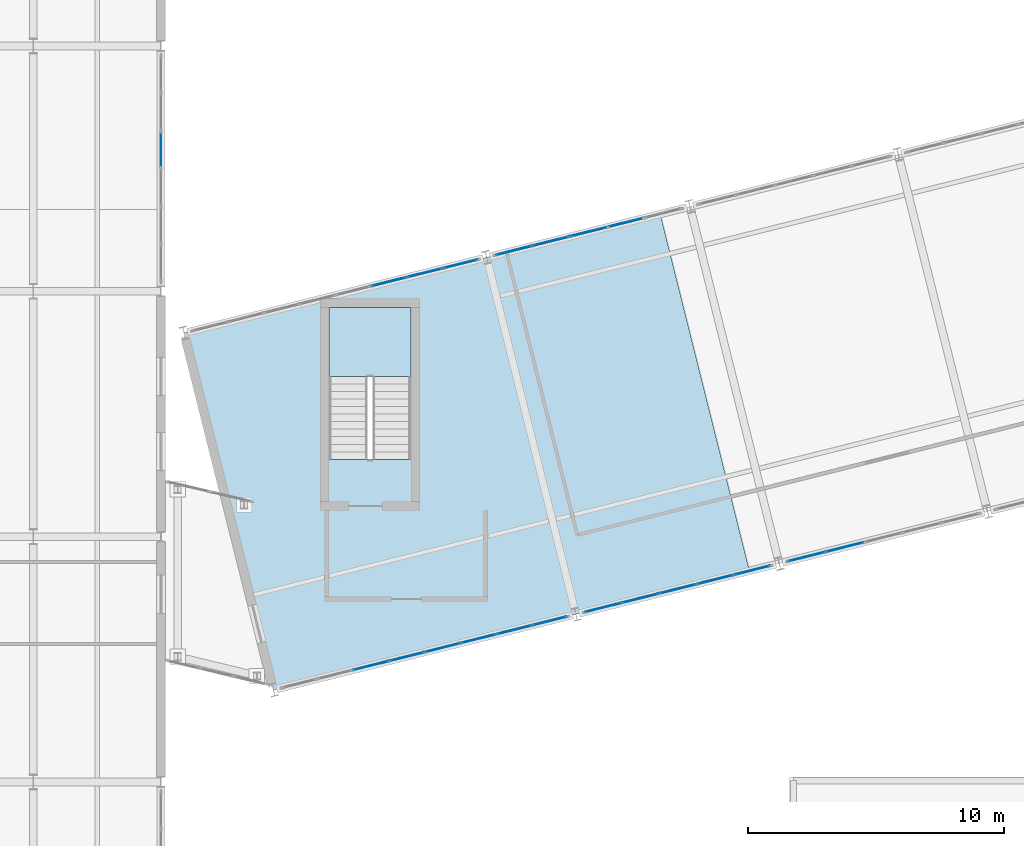
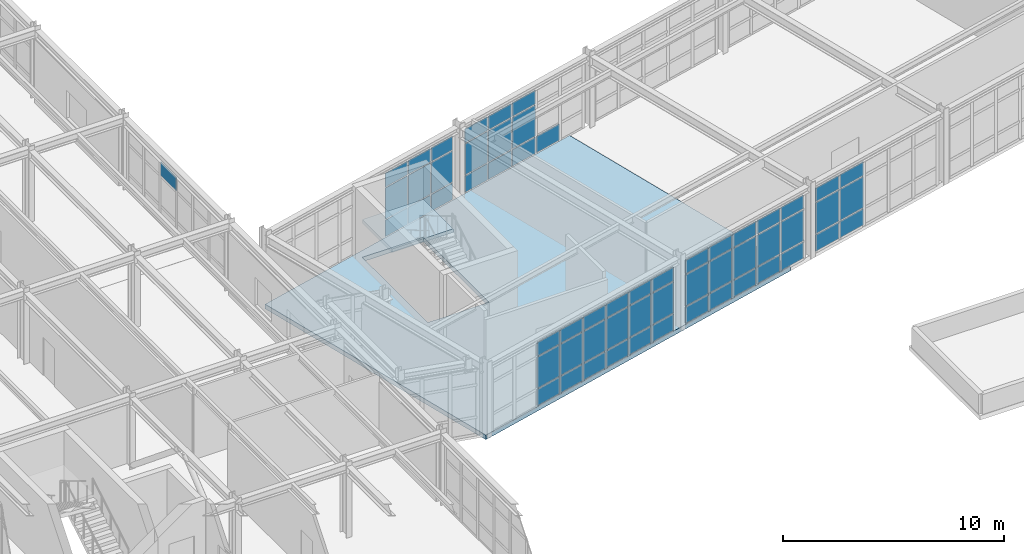
# One storey, part 60 of 99: 59 plates, 2 slabs, 7 elements without a shape of their own.
"""IFC4 building model written with IfcOpenShell, lengths in metres."""

from ifc_helpers import new_model, si_unit, direction, frame, origin, origin_2d, place, context, subcontext, project, spatial, polyline, rectangle, outline, extrude, material, layer, layer_set, type_object, element, aggregate, save


model = new_model("IFC4")

# Units and contexts
model_context = context("Model", 3, precision=1e-05, world=origin(), true_north=direction((0.0, 1.0)))
body_context = subcontext(model_context, "Body", "Model", "MODEL_VIEW")
ifc_project = project(units=[si_unit("LENGTHUNIT", "METRE"), si_unit("AREAUNIT", "SQUARE_METRE"), si_unit("VOLUMEUNIT", "CUBIC_METRE"), si_unit("PLANEANGLEUNIT", "RADIAN"), si_unit("MASSUNIT", "GRAM", prefix="KILO")], contexts=[model_context])

# Site, building, storey
site_placement = place(None, origin())
site = spatial("IfcSite", under=ifc_project, at=site_placement, CompositionType="ELEMENT")
building_placement = place(site_placement, origin())
building = spatial("IfcBuilding", under=site, at=building_placement, Name="Nordkorset Police Headquarters", CompositionType="ELEMENT")
storey_placement = place(building_placement, frame((0.0, 0.0, 5.25)))
storey = spatial("IfcBuildingStorey", under=building, at=storey_placement, Name="L01", CompositionType="ELEMENT", Elevation=5.25)

# Curtain wall, plate
ifc_material_1 = material(Name="Aluminium alloy AW-6060", Category="aluminium")
ifc_layer_1 = layer(ifc_material_1, 0.179931640625, Name="Aluminium alloy AW-6060")
ifc_layer_set_1 = layer_set([ifc_layer_1], Name="Aluminium alloy AW-6060")
curtain_wall_type_1 = type_object("IfcCurtainWallType", Name="CW_Unit_888x350", PredefinedType="USERDEFINED", material=ifc_layer_set_1)
curtain_wall_1_placement = place(storey_placement, origin())
curtain_wall_1 = element("IfcCurtainWall", 1, at=curtain_wall_1_placement, inside=storey, type_object=curtain_wall_type_1, Name="Unitised Curtain Wall L01 V3E-3", ObjectType="UNITISED CURTAIN WALL", PredefinedType="USERDEFINED")
ifc_material_2 = material(Name="Low-iron triple glazing", Category="glass")
ifc_layer_2 = layer(ifc_material_2, 0.035888671875, Name="Low-iron triple glazing")
ifc_layer_set_2 = layer_set([ifc_layer_2], Name="Low-iron triple glazing")
plate_type = type_object("IfcPlateType", Name="CW_Panel_TripleGlazing_36", PredefinedType="CURTAIN_PANEL", material=ifc_layer_set_2)
plate_1_placement = place(storey_placement, frame((19.199951171875, 63.139892578125, 2.6826171875), z_axis=(0.0, 0.0, 1.0), x_axis=(0.0, 1.0, 0.0)))
plate_1 = element("IfcPlate", 2, at=plate_1_placement, type_object=plate_type, Name="CW-95 panel 4.3", PredefinedType="CURTAIN_PANEL", context=body_context, shape_type="SweptSolid", body=[
    extrude(rectangle(XDim=1.4150390625, YDim=0.035888671875, at=origin_2d()), origin(), (0.0, 0.0, 1.0), 0.75244140625),
])
aggregate(curtain_wall_1, [plate_1])

# Curtain wall, plates
ifc_material_3 = material(Name="Aluminium alloy AW-6060", Category="aluminium")
ifc_layer_3 = layer(ifc_material_3, 0.179931640625, Name="Aluminium alloy AW-6060")
ifc_layer_set_3 = layer_set([ifc_layer_3], Name="Aluminium alloy AW-6060")
curtain_wall_type_2 = type_object("IfcCurtainWallType", Name="CW_Unit_1156x363", PredefinedType="USERDEFINED", material=ifc_layer_set_3)
curtain_wall_2_placement = place(storey_placement, origin())
curtain_wall_2 = element("IfcCurtainWall", 3, at=curtain_wall_2_placement, inside=storey, type_object=curtain_wall_type_2, Name="Unitised Curtain Wall L01 V4S-0", ObjectType="UNITISED CURTAIN WALL", PredefinedType="USERDEFINED")
plate_2_placement = place(storey_placement, frame((27.4150390625, 42.953857421875, 0.06494140625), z_axis=(0.0, 0.0, 1.0), x_axis=(0.970142500145, 0.242535625038, 0.0)))
plate_2 = element("IfcPlate", 4, at=plate_2_placement, type_object=plate_type, Name="CW-01 panel 3.1", PredefinedType="CURTAIN_PANEL", context=body_context, shape_type="SweptSolid", body=[
    extrude(rectangle(XDim=1.3798828125, YDim=0.035888671875, at=origin_2d()), origin(), (0.0, 0.0, 1.0), 0.902587890625),
])
plate_3_placement = place(storey_placement, frame((27.4150390625, 42.953857421875, 1.0322265625), z_axis=(0.0, 0.0, 1.0), x_axis=(0.970142500145, 0.242535625038, 0.0)))
plate_3 = element("IfcPlate", 5, at=plate_3_placement, type_object=plate_type, Name="CW-01 panel 3.2", PredefinedType="CURTAIN_PANEL", context=body_context, shape_type="SweptSolid", body=[
    extrude(rectangle(XDim=1.3798828125, YDim=0.035888671875, at=origin_2d()), origin(), (0.0, 0.0, 1.0), 1.715087890625),
])
plate_4_placement = place(storey_placement, frame((27.4150390625, 42.953857421875, 2.8125), z_axis=(0.0, 0.0, 1.0), x_axis=(0.970142500145, 0.242535625038, 0.0)))
plate_4 = element("IfcPlate", 6, at=plate_4_placement, type_object=plate_type, Name="CW-01 panel 3.3", PredefinedType="CURTAIN_PANEL", context=body_context, shape_type="SweptSolid", body=[
    extrude(rectangle(XDim=1.3798828125, YDim=0.035888671875, at=origin_2d()), origin(), (0.0, 0.0, 1.0), 0.75244140625),
])
plate_5_placement = place(storey_placement, frame((28.81689453125, 43.30419921875, 0.06494140625), z_axis=(0.0, 0.0, 1.0), x_axis=(0.970142500145, 0.242535625038, 0.0)))
plate_5 = element("IfcPlate", 7, at=plate_5_placement, type_object=plate_type, Name="CW-01 panel 4.1", PredefinedType="CURTAIN_PANEL", context=body_context, shape_type="SweptSolid", body=[
    extrude(rectangle(XDim=1.3798828125, YDim=0.035888671875, at=origin_2d()), origin(), (0.0, 0.0, 1.0), 0.902587890625),
])
plate_6_placement = place(storey_placement, frame((28.81689453125, 43.30419921875, 1.0322265625), z_axis=(0.0, 0.0, 1.0), x_axis=(0.970142500145, 0.242535625038, 0.0)))
plate_6 = element("IfcPlate", 8, at=plate_6_placement, type_object=plate_type, Name="CW-01 panel 4.2", PredefinedType="CURTAIN_PANEL", context=body_context, shape_type="SweptSolid", body=[
    extrude(rectangle(XDim=1.3798828125, YDim=0.035888671875, at=origin_2d()), origin(), (0.0, 0.0, 1.0), 1.715087890625),
])
plate_7_placement = place(storey_placement, frame((28.81689453125, 43.30419921875, 2.8125), z_axis=(0.0, 0.0, 1.0), x_axis=(0.970142500145, 0.242535625038, 0.0)))
plate_7 = element("IfcPlate", 9, at=plate_7_placement, type_object=plate_type, Name="CW-01 panel 4.3", PredefinedType="CURTAIN_PANEL", context=body_context, shape_type="SweptSolid", body=[
    extrude(rectangle(XDim=1.3798828125, YDim=0.035888671875, at=origin_2d()), origin(), (0.0, 0.0, 1.0), 0.75244140625),
])
plate_8_placement = place(storey_placement, frame((30.21875, 43.65478515625, 0.06494140625), z_axis=(0.0, 0.0, 1.0), x_axis=(0.970142500145, 0.242535625038, 0.0)))
plate_8 = element("IfcPlate", 10, at=plate_8_placement, type_object=plate_type, Name="CW-01 panel 5.1", PredefinedType="CURTAIN_PANEL", context=body_context, shape_type="SweptSolid", body=[
    extrude(rectangle(XDim=1.3798828125, YDim=0.035888671875, at=origin_2d()), origin(), (0.0, 0.0, 1.0), 0.902587890625),
])
plate_9_placement = place(storey_placement, frame((30.21875, 43.65478515625, 1.0322265625), z_axis=(0.0, 0.0, 1.0), x_axis=(0.970142500145, 0.242535625038, 0.0)))
plate_9 = element("IfcPlate", 11, at=plate_9_placement, type_object=plate_type, Name="CW-01 panel 5.2", PredefinedType="CURTAIN_PANEL", context=body_context, shape_type="SweptSolid", body=[
    extrude(rectangle(XDim=1.3798828125, YDim=0.035888671875, at=origin_2d()), origin(), (0.0, 0.0, 1.0), 1.715087890625),
])
plate_10_placement = place(storey_placement, frame((30.21875, 43.65478515625, 2.8125), z_axis=(0.0, 0.0, 1.0), x_axis=(0.970142500145, 0.242535625038, 0.0)))
plate_10 = element("IfcPlate", 12, at=plate_10_placement, type_object=plate_type, Name="CW-01 panel 5.3", PredefinedType="CURTAIN_PANEL", context=body_context, shape_type="SweptSolid", body=[
    extrude(rectangle(XDim=1.3798828125, YDim=0.035888671875, at=origin_2d()), origin(), (0.0, 0.0, 1.0), 0.75244140625),
])
plate_11_placement = place(storey_placement, frame((31.62060546875, 44.005126953125, 0.06494140625), z_axis=(0.0, 0.0, 1.0), x_axis=(0.970142500145, 0.242535625038, 0.0)))
plate_11 = element("IfcPlate", 13, at=plate_11_placement, type_object=plate_type, Name="CW-01 panel 6.1", PredefinedType="CURTAIN_PANEL", context=body_context, shape_type="SweptSolid", body=[
    extrude(rectangle(XDim=1.3798828125, YDim=0.035888671875, at=origin_2d()), origin(), (0.0, 0.0, 1.0), 0.902587890625),
])
plate_12_placement = place(storey_placement, frame((31.62060546875, 44.005126953125, 1.0322265625), z_axis=(0.0, 0.0, 1.0), x_axis=(0.970142500145, 0.242535625038, 0.0)))
plate_12 = element("IfcPlate", 14, at=plate_12_placement, type_object=plate_type, Name="CW-01 panel 6.2", PredefinedType="CURTAIN_PANEL", context=body_context, shape_type="SweptSolid", body=[
    extrude(rectangle(XDim=1.3798828125, YDim=0.035888671875, at=origin_2d()), origin(), (0.0, 0.0, 1.0), 1.715087890625),
])
plate_13_placement = place(storey_placement, frame((31.62060546875, 44.005126953125, 2.8125), z_axis=(0.0, 0.0, 1.0), x_axis=(0.970142500145, 0.242535625038, 0.0)))
plate_13 = element("IfcPlate", 15, at=plate_13_placement, type_object=plate_type, Name="CW-01 panel 6.3", PredefinedType="CURTAIN_PANEL", context=body_context, shape_type="SweptSolid", body=[
    extrude(rectangle(XDim=1.3798828125, YDim=0.035888671875, at=origin_2d()), origin(), (0.0, 0.0, 1.0), 0.75244140625),
])
plate_14_placement = place(storey_placement, frame((33.0224609375, 44.355712890625, 0.06494140625), z_axis=(0.0, 0.0, 1.0), x_axis=(0.970142500145, 0.242535625038, 0.0)))
plate_14 = element("IfcPlate", 16, at=plate_14_placement, type_object=plate_type, Name="CW-01 panel 7.1", PredefinedType="CURTAIN_PANEL", context=body_context, shape_type="SweptSolid", body=[
    extrude(rectangle(XDim=1.3798828125, YDim=0.035888671875, at=origin_2d()), origin(), (0.0, 0.0, 1.0), 0.902587890625),
])
plate_15_placement = place(storey_placement, frame((33.0224609375, 44.355712890625, 1.0322265625), z_axis=(0.0, 0.0, 1.0), x_axis=(0.970142500145, 0.242535625038, 0.0)))
plate_15 = element("IfcPlate", 17, at=plate_15_placement, type_object=plate_type, Name="CW-01 panel 7.2", PredefinedType="CURTAIN_PANEL", context=body_context, shape_type="SweptSolid", body=[
    extrude(rectangle(XDim=1.3798828125, YDim=0.035888671875, at=origin_2d()), origin(), (0.0, 0.0, 1.0), 1.715087890625),
])
plate_16_placement = place(storey_placement, frame((33.0224609375, 44.355712890625, 2.8125), z_axis=(0.0, 0.0, 1.0), x_axis=(0.970142500145, 0.242535625038, 0.0)))
plate_16 = element("IfcPlate", 18, at=plate_16_placement, type_object=plate_type, Name="CW-01 panel 7.3", PredefinedType="CURTAIN_PANEL", context=body_context, shape_type="SweptSolid", body=[
    extrude(rectangle(XDim=1.3798828125, YDim=0.035888671875, at=origin_2d()), origin(), (0.0, 0.0, 1.0), 0.75244140625),
])
plate_17_placement = place(storey_placement, frame((34.40869140625, 44.7021484375, 0.06494140625), z_axis=(0.0, 0.0, 1.0), x_axis=(0.970142500145, 0.242535625038, 0.0)))
plate_17 = element("IfcPlate", 19, at=plate_17_placement, type_object=plate_type, Name="CW-01 panel 8.1", PredefinedType="CURTAIN_PANEL", context=body_context, shape_type="SweptSolid", body=[
    extrude(rectangle(XDim=1.347412109375, YDim=0.035888671875, at=origin_2d()), origin(), (0.0, 0.0, 1.0), 0.902587890625),
])
plate_18_placement = place(storey_placement, frame((34.40869140625, 44.7021484375, 1.0322265625), z_axis=(0.0, 0.0, 1.0), x_axis=(0.970142500145, 0.242535625038, 0.0)))
plate_18 = element("IfcPlate", 20, at=plate_18_placement, type_object=plate_type, Name="CW-01 panel 8.2", PredefinedType="CURTAIN_PANEL", context=body_context, shape_type="SweptSolid", body=[
    extrude(rectangle(XDim=1.347412109375, YDim=0.035888671875, at=origin_2d()), origin(), (0.0, 0.0, 1.0), 1.715087890625),
])
plate_19_placement = place(storey_placement, frame((34.40869140625, 44.7021484375, 2.8125), z_axis=(0.0, 0.0, 1.0), x_axis=(0.970142500145, 0.242535625038, 0.0)))
plate_19 = element("IfcPlate", 21, at=plate_19_placement, type_object=plate_type, Name="CW-01 panel 8.3", PredefinedType="CURTAIN_PANEL", context=body_context, shape_type="SweptSolid", body=[
    extrude(rectangle(XDim=1.347412109375, YDim=0.035888671875, at=origin_2d()), origin(), (0.0, 0.0, 1.0), 0.75244140625),
])
aggregate(curtain_wall_2, [plate_2, plate_3, plate_4, plate_5, plate_6, plate_7, plate_8, plate_9, plate_10, plate_11, plate_12, plate_13, plate_14, plate_15, plate_16, plate_17, plate_18, plate_19])

curtain_wall_3_placement = place(storey_placement, origin())
curtain_wall_3 = element("IfcCurtainWall", 22, at=curtain_wall_3_placement, inside=storey, type_object=curtain_wall_type_2, Name="Unitised Curtain Wall L01 V4N-0", ObjectType="UNITISED CURTAIN WALL", PredefinedType="USERDEFINED")
plate_20_placement = place(storey_placement, frame((28.128173828125, 57.97509765625, 0.06494140625), z_axis=(0.0, 0.0, 1.0), x_axis=(0.970142347489, 0.242536235663, 0.0)))
plate_20 = element("IfcPlate", 23, at=plate_20_placement, type_object=plate_type, Name="CW-01 panel 6.1", PredefinedType="CURTAIN_PANEL", context=body_context, shape_type="SweptSolid", body=[
    extrude(rectangle(XDim=1.3798828125, YDim=0.035888671875, at=origin_2d()), origin(), (0.0, 0.0, 1.0), 0.902587890625),
])
plate_21_placement = place(storey_placement, frame((28.128173828125, 57.97509765625, 1.0322265625), z_axis=(0.0, 0.0, 1.0), x_axis=(0.970142347489, 0.242536235663, 0.0)))
plate_21 = element("IfcPlate", 24, at=plate_21_placement, type_object=plate_type, Name="CW-01 panel 6.2", PredefinedType="CURTAIN_PANEL", context=body_context, shape_type="SweptSolid", body=[
    extrude(rectangle(XDim=1.3798828125, YDim=0.035888671875, at=origin_2d()), origin(), (0.0, 0.0, 1.0), 1.715087890625),
])
plate_22_placement = place(storey_placement, frame((28.128173828125, 57.97509765625, 2.8125), z_axis=(0.0, 0.0, 1.0), x_axis=(0.970142347489, 0.242536235663, 0.0)))
plate_22 = element("IfcPlate", 25, at=plate_22_placement, type_object=plate_type, Name="CW-01 panel 6.3", PredefinedType="CURTAIN_PANEL", context=body_context, shape_type="SweptSolid", body=[
    extrude(rectangle(XDim=1.3798828125, YDim=0.035888671875, at=origin_2d()), origin(), (0.0, 0.0, 1.0), 0.75244140625),
])
plate_23_placement = place(storey_placement, frame((29.530029296875, 58.32568359375, 0.06494140625), z_axis=(0.0, 0.0, 1.0), x_axis=(0.970142347489, 0.242536235663, 0.0)))
plate_23 = element("IfcPlate", 26, at=plate_23_placement, type_object=plate_type, Name="CW-01 panel 7.1", PredefinedType="CURTAIN_PANEL", context=body_context, shape_type="SweptSolid", body=[
    extrude(rectangle(XDim=1.3798828125, YDim=0.035888671875, at=origin_2d()), origin(), (0.0, 0.0, 1.0), 0.902587890625),
])
plate_24_placement = place(storey_placement, frame((29.530029296875, 58.32568359375, 1.0322265625), z_axis=(0.0, 0.0, 1.0), x_axis=(0.970142347489, 0.242536235663, 0.0)))
plate_24 = element("IfcPlate", 27, at=plate_24_placement, type_object=plate_type, Name="CW-01 panel 7.2", PredefinedType="CURTAIN_PANEL", context=body_context, shape_type="SweptSolid", body=[
    extrude(rectangle(XDim=1.3798828125, YDim=0.035888671875, at=origin_2d()), origin(), (0.0, 0.0, 1.0), 1.715087890625),
])
plate_25_placement = place(storey_placement, frame((29.530029296875, 58.32568359375, 2.8125), z_axis=(0.0, 0.0, 1.0), x_axis=(0.970142347489, 0.242536235663, 0.0)))
plate_25 = element("IfcPlate", 28, at=plate_25_placement, type_object=plate_type, Name="CW-01 panel 7.3", PredefinedType="CURTAIN_PANEL", context=body_context, shape_type="SweptSolid", body=[
    extrude(rectangle(XDim=1.3798828125, YDim=0.035888671875, at=origin_2d()), origin(), (0.0, 0.0, 1.0), 0.75244140625),
])
plate_26_placement = place(storey_placement, frame((30.916015625, 58.672119140625, 0.06494140625), z_axis=(0.0, 0.0, 1.0), x_axis=(0.970142347489, 0.242536235663, 0.0)))
plate_26 = element("IfcPlate", 29, at=plate_26_placement, type_object=plate_type, Name="CW-01 panel 8.1", PredefinedType="CURTAIN_PANEL", context=body_context, shape_type="SweptSolid", body=[
    extrude(rectangle(XDim=1.347412109375, YDim=0.035888671875, at=origin_2d()), origin(), (0.0, 0.0, 1.0), 0.902587890625),
])
plate_27_placement = place(storey_placement, frame((30.916015625, 58.672119140625, 1.0322265625), z_axis=(0.0, 0.0, 1.0), x_axis=(0.970142347489, 0.242536235663, 0.0)))
plate_27 = element("IfcPlate", 30, at=plate_27_placement, type_object=plate_type, Name="CW-01 panel 8.2", PredefinedType="CURTAIN_PANEL", context=body_context, shape_type="SweptSolid", body=[
    extrude(rectangle(XDim=1.347412109375, YDim=0.035888671875, at=origin_2d()), origin(), (0.0, 0.0, 1.0), 1.715087890625),
])
plate_28_placement = place(storey_placement, frame((30.916015625, 58.672119140625, 2.8125), z_axis=(0.0, 0.0, 1.0), x_axis=(0.970142347489, 0.242536235663, 0.0)))
plate_28 = element("IfcPlate", 31, at=plate_28_placement, type_object=plate_type, Name="CW-01 panel 8.3", PredefinedType="CURTAIN_PANEL", context=body_context, shape_type="SweptSolid", body=[
    extrude(rectangle(XDim=1.347412109375, YDim=0.035888671875, at=origin_2d()), origin(), (0.0, 0.0, 1.0), 0.75244140625),
])
aggregate(curtain_wall_3, [plate_20, plate_21, plate_22, plate_23, plate_24, plate_25, plate_26, plate_27, plate_28])

ifc_material_4 = material(Name="Aluminium alloy AW-6060", Category="aluminium")
ifc_layer_4 = layer(ifc_material_4, 0.179931640625, Name="Aluminium alloy AW-6060")
ifc_layer_set_4 = layer_set([ifc_layer_4], Name="Aluminium alloy AW-6060")
curtain_wall_type_3 = type_object("IfcCurtainWallType", Name="CW_Unit_756x363", PredefinedType="USERDEFINED", material=ifc_layer_set_4)
curtain_wall_4_placement = place(storey_placement, origin())
curtain_wall_4 = element("IfcCurtainWall", 32, at=curtain_wall_4_placement, inside=storey, type_object=curtain_wall_type_3, Name="Unitised Curtain Wall L01 V4S-1", ObjectType="UNITISED CURTAIN WALL", PredefinedType="USERDEFINED")
plate_29_placement = place(storey_placement, frame((36.495361328125, 45.223876953125, 0.06494140625), z_axis=(0.0, 0.0, 1.0), x_axis=(0.970142500145, 0.242535625038, 0.0)))
plate_29 = element("IfcPlate", 33, at=plate_29_placement, type_object=plate_type, Name="CW-24 panel 1.1", PredefinedType="CURTAIN_PANEL", context=body_context, shape_type="SweptSolid", body=[
    extrude(rectangle(XDim=1.41455078125, YDim=0.035888671875, at=origin_2d()), origin(), (0.0, 0.0, 1.0), 0.902587890625),
])
plate_30_placement = place(storey_placement, frame((36.495361328125, 45.223876953125, 1.0322265625), z_axis=(0.0, 0.0, 1.0), x_axis=(0.970142500145, 0.242535625038, 0.0)))
plate_30 = element("IfcPlate", 34, at=plate_30_placement, type_object=plate_type, Name="CW-24 panel 1.2", PredefinedType="CURTAIN_PANEL", context=body_context, shape_type="SweptSolid", body=[
    extrude(rectangle(XDim=1.41455078125, YDim=0.035888671875, at=origin_2d()), origin(), (0.0, 0.0, 1.0), 1.715087890625),
])
plate_31_placement = place(storey_placement, frame((36.495361328125, 45.223876953125, 2.8125), z_axis=(0.0, 0.0, 1.0), x_axis=(0.970142500145, 0.242535625038, 0.0)))
plate_31 = element("IfcPlate", 35, at=plate_31_placement, type_object=plate_type, Name="CW-24 panel 1.3", PredefinedType="CURTAIN_PANEL", context=body_context, shape_type="SweptSolid", body=[
    extrude(rectangle(XDim=1.41455078125, YDim=0.035888671875, at=origin_2d()), origin(), (0.0, 0.0, 1.0), 0.75244140625),
])
plate_32_placement = place(storey_placement, frame((37.946533203125, 45.586669921875, 0.06494140625), z_axis=(0.0, 0.0, 1.0), x_axis=(0.970142500145, 0.242535625038, 0.0)))
plate_32 = element("IfcPlate", 36, at=plate_32_placement, type_object=plate_type, Name="CW-24 panel 2.1", PredefinedType="CURTAIN_PANEL", context=body_context, shape_type="SweptSolid", body=[
    extrude(rectangle(XDim=1.447021484375, YDim=0.035888671875, at=origin_2d()), origin(), (0.0, 0.0, 1.0), 0.902587890625),
])
plate_33_placement = place(storey_placement, frame((37.946533203125, 45.586669921875, 1.0322265625), z_axis=(0.0, 0.0, 1.0), x_axis=(0.970142500145, 0.242535625038, 0.0)))
plate_33 = element("IfcPlate", 37, at=plate_33_placement, type_object=plate_type, Name="CW-24 panel 2.2", PredefinedType="CURTAIN_PANEL", context=body_context, shape_type="SweptSolid", body=[
    extrude(rectangle(XDim=1.447021484375, YDim=0.035888671875, at=origin_2d()), origin(), (0.0, 0.0, 1.0), 1.715087890625),
])
plate_34_placement = place(storey_placement, frame((37.946533203125, 45.586669921875, 2.8125), z_axis=(0.0, 0.0, 1.0), x_axis=(0.970142500145, 0.242535625038, 0.0)))
plate_34 = element("IfcPlate", 38, at=plate_34_placement, type_object=plate_type, Name="CW-24 panel 2.3", PredefinedType="CURTAIN_PANEL", context=body_context, shape_type="SweptSolid", body=[
    extrude(rectangle(XDim=1.447021484375, YDim=0.035888671875, at=origin_2d()), origin(), (0.0, 0.0, 1.0), 0.75244140625),
])
plate_35_placement = place(storey_placement, frame((39.413330078125, 45.953369140625, 0.06494140625), z_axis=(0.0, 0.0, 1.0), x_axis=(0.970142500145, 0.242535625038, 0.0)))
plate_35 = element("IfcPlate", 39, at=plate_35_placement, type_object=plate_type, Name="CW-24 panel 3.1", PredefinedType="CURTAIN_PANEL", context=body_context, shape_type="SweptSolid", body=[
    extrude(rectangle(XDim=1.447021484375, YDim=0.035888671875, at=origin_2d()), origin(), (0.0, 0.0, 1.0), 0.902587890625),
])
plate_36_placement = place(storey_placement, frame((39.413330078125, 45.953369140625, 1.0322265625), z_axis=(0.0, 0.0, 1.0), x_axis=(0.970142500145, 0.242535625038, 0.0)))
plate_36 = element("IfcPlate", 40, at=plate_36_placement, type_object=plate_type, Name="CW-24 panel 3.2", PredefinedType="CURTAIN_PANEL", context=body_context, shape_type="SweptSolid", body=[
    extrude(rectangle(XDim=1.447021484375, YDim=0.035888671875, at=origin_2d()), origin(), (0.0, 0.0, 1.0), 1.715087890625),
])
plate_37_placement = place(storey_placement, frame((39.413330078125, 45.953369140625, 2.8125), z_axis=(0.0, 0.0, 1.0), x_axis=(0.970142500145, 0.242535625038, 0.0)))
plate_37 = element("IfcPlate", 41, at=plate_37_placement, type_object=plate_type, Name="CW-24 panel 3.3", PredefinedType="CURTAIN_PANEL", context=body_context, shape_type="SweptSolid", body=[
    extrude(rectangle(XDim=1.447021484375, YDim=0.035888671875, at=origin_2d()), origin(), (0.0, 0.0, 1.0), 0.75244140625),
])
plate_38_placement = place(storey_placement, frame((40.880126953125, 46.320068359375, 0.06494140625), z_axis=(0.0, 0.0, 1.0), x_axis=(0.970142500145, 0.242535625038, 0.0)))
plate_38 = element("IfcPlate", 42, at=plate_38_placement, type_object=plate_type, Name="CW-24 panel 4.1", PredefinedType="CURTAIN_PANEL", context=body_context, shape_type="SweptSolid", body=[
    extrude(rectangle(XDim=1.447021484375, YDim=0.035888671875, at=origin_2d()), origin(), (0.0, 0.0, 1.0), 0.902587890625),
])
plate_39_placement = place(storey_placement, frame((40.880126953125, 46.320068359375, 1.0322265625), z_axis=(0.0, 0.0, 1.0), x_axis=(0.970142500145, 0.242535625038, 0.0)))
plate_39 = element("IfcPlate", 43, at=plate_39_placement, type_object=plate_type, Name="CW-24 panel 4.2", PredefinedType="CURTAIN_PANEL", context=body_context, shape_type="SweptSolid", body=[
    extrude(rectangle(XDim=1.447021484375, YDim=0.035888671875, at=origin_2d()), origin(), (0.0, 0.0, 1.0), 1.715087890625),
])
plate_40_placement = place(storey_placement, frame((40.880126953125, 46.320068359375, 2.8125), z_axis=(0.0, 0.0, 1.0), x_axis=(0.970142500145, 0.242535625038, 0.0)))
plate_40 = element("IfcPlate", 44, at=plate_40_placement, type_object=plate_type, Name="CW-24 panel 4.3", PredefinedType="CURTAIN_PANEL", context=body_context, shape_type="SweptSolid", body=[
    extrude(rectangle(XDim=1.447021484375, YDim=0.035888671875, at=origin_2d()), origin(), (0.0, 0.0, 1.0), 0.75244140625),
])
plate_41_placement = place(storey_placement, frame((42.331298828125, 46.682861328125, 0.06494140625), z_axis=(0.0, 0.0, 1.0), x_axis=(0.970142500145, 0.242535625038, 0.0)))
plate_41 = element("IfcPlate", 45, at=plate_41_placement, type_object=plate_type, Name="CW-24 panel 5.1", PredefinedType="CURTAIN_PANEL", context=body_context, shape_type="SweptSolid", body=[
    extrude(rectangle(XDim=1.41455078125, YDim=0.035888671875, at=origin_2d()), origin(), (0.0, 0.0, 1.0), 0.902587890625),
])
plate_42_placement = place(storey_placement, frame((42.331298828125, 46.682861328125, 1.0322265625), z_axis=(0.0, 0.0, 1.0), x_axis=(0.970142500145, 0.242535625038, 0.0)))
plate_42 = element("IfcPlate", 46, at=plate_42_placement, type_object=plate_type, Name="CW-24 panel 5.2", PredefinedType="CURTAIN_PANEL", context=body_context, shape_type="SweptSolid", body=[
    extrude(rectangle(XDim=1.41455078125, YDim=0.035888671875, at=origin_2d()), origin(), (0.0, 0.0, 1.0), 1.715087890625),
])
plate_43_placement = place(storey_placement, frame((42.331298828125, 46.682861328125, 2.8125), z_axis=(0.0, 0.0, 1.0), x_axis=(0.970142500145, 0.242535625038, 0.0)))
plate_43 = element("IfcPlate", 47, at=plate_43_placement, type_object=plate_type, Name="CW-24 panel 5.3", PredefinedType="CURTAIN_PANEL", context=body_context, shape_type="SweptSolid", body=[
    extrude(rectangle(XDim=1.41455078125, YDim=0.035888671875, at=origin_2d()), origin(), (0.0, 0.0, 1.0), 0.75244140625),
])
aggregate(curtain_wall_4, [plate_29, plate_30, plate_31, plate_32, plate_33, plate_34, plate_35, plate_36, plate_37, plate_38, plate_39, plate_40, plate_41, plate_42, plate_43])

curtain_wall_5_placement = place(storey_placement, origin())
curtain_wall_5 = element("IfcCurtainWall", 48, at=curtain_wall_5_placement, inside=storey, type_object=curtain_wall_type_3, Name="Unitised Curtain Wall L01 V4N-1", ObjectType="UNITISED CURTAIN WALL", PredefinedType="USERDEFINED")
plate_44_placement = place(storey_placement, frame((33.0029296875, 59.19384765625, 0.06494140625), z_axis=(0.0, 0.0, 1.0), x_axis=(0.970142500145, 0.242535625038, 0.0)))
plate_44 = element("IfcPlate", 49, at=plate_44_placement, type_object=plate_type, Name="CW-24 panel 1.1", PredefinedType="CURTAIN_PANEL", context=body_context, shape_type="SweptSolid", body=[
    extrude(rectangle(XDim=1.41455078125, YDim=0.035888671875, at=origin_2d()), origin(), (0.0, 0.0, 1.0), 0.902587890625),
])
plate_45_placement = place(storey_placement, frame((33.0029296875, 59.19384765625, 1.0322265625), z_axis=(0.0, 0.0, 1.0), x_axis=(0.970142500145, 0.242535625038, 0.0)))
plate_45 = element("IfcPlate", 50, at=plate_45_placement, type_object=plate_type, Name="CW-24 panel 1.2", PredefinedType="CURTAIN_PANEL", context=body_context, shape_type="SweptSolid", body=[
    extrude(rectangle(XDim=1.41455078125, YDim=0.035888671875, at=origin_2d()), origin(), (0.0, 0.0, 1.0), 1.715087890625),
])
plate_46_placement = place(storey_placement, frame((33.0029296875, 59.19384765625, 2.8125), z_axis=(0.0, 0.0, 1.0), x_axis=(0.970142500145, 0.242535625038, 0.0)))
plate_46 = element("IfcPlate", 51, at=plate_46_placement, type_object=plate_type, Name="CW-24 panel 1.3", PredefinedType="CURTAIN_PANEL", context=body_context, shape_type="SweptSolid", body=[
    extrude(rectangle(XDim=1.41455078125, YDim=0.035888671875, at=origin_2d()), origin(), (0.0, 0.0, 1.0), 0.75244140625),
])
plate_47_placement = place(storey_placement, frame((34.453857421875, 59.556640625, 0.06494140625), z_axis=(0.0, 0.0, 1.0), x_axis=(0.970142500145, 0.242535625038, 0.0)))
plate_47 = element("IfcPlate", 52, at=plate_47_placement, type_object=plate_type, Name="CW-24 panel 2.1", PredefinedType="CURTAIN_PANEL", context=body_context, shape_type="SweptSolid", body=[
    extrude(rectangle(XDim=1.447021484375, YDim=0.035888671875, at=origin_2d()), origin(), (0.0, 0.0, 1.0), 0.902587890625),
])
plate_48_placement = place(storey_placement, frame((34.453857421875, 59.556640625, 1.0322265625), z_axis=(0.0, 0.0, 1.0), x_axis=(0.970142500145, 0.242535625038, 0.0)))
plate_48 = element("IfcPlate", 53, at=plate_48_placement, type_object=plate_type, Name="CW-24 panel 2.2", PredefinedType="CURTAIN_PANEL", context=body_context, shape_type="SweptSolid", body=[
    extrude(rectangle(XDim=1.447021484375, YDim=0.035888671875, at=origin_2d()), origin(), (0.0, 0.0, 1.0), 1.715087890625),
])
plate_49_placement = place(storey_placement, frame((34.453857421875, 59.556640625, 2.8125), z_axis=(0.0, 0.0, 1.0), x_axis=(0.970142500145, 0.242535625038, 0.0)))
plate_49 = element("IfcPlate", 54, at=plate_49_placement, type_object=plate_type, Name="CW-24 panel 2.3", PredefinedType="CURTAIN_PANEL", context=body_context, shape_type="SweptSolid", body=[
    extrude(rectangle(XDim=1.447021484375, YDim=0.035888671875, at=origin_2d()), origin(), (0.0, 0.0, 1.0), 0.75244140625),
])
plate_50_placement = place(storey_placement, frame((35.9208984375, 59.92333984375, 0.06494140625), z_axis=(0.0, 0.0, 1.0), x_axis=(0.970142500145, 0.242535625038, 0.0)))
plate_50 = element("IfcPlate", 55, at=plate_50_placement, type_object=plate_type, Name="CW-24 panel 3.1", PredefinedType="CURTAIN_PANEL", context=body_context, shape_type="SweptSolid", body=[
    extrude(rectangle(XDim=1.447021484375, YDim=0.035888671875, at=origin_2d()), origin(), (0.0, 0.0, 1.0), 0.902587890625),
])
plate_51_placement = place(storey_placement, frame((35.9208984375, 59.92333984375, 1.0322265625), z_axis=(0.0, 0.0, 1.0), x_axis=(0.970142500145, 0.242535625038, 0.0)))
plate_51 = element("IfcPlate", 56, at=plate_51_placement, type_object=plate_type, Name="CW-24 panel 3.2", PredefinedType="CURTAIN_PANEL", context=body_context, shape_type="SweptSolid", body=[
    extrude(rectangle(XDim=1.447021484375, YDim=0.035888671875, at=origin_2d()), origin(), (0.0, 0.0, 1.0), 1.715087890625),
])
plate_52_placement = place(storey_placement, frame((35.9208984375, 59.92333984375, 2.8125), z_axis=(0.0, 0.0, 1.0), x_axis=(0.970142500145, 0.242535625038, 0.0)))
plate_52 = element("IfcPlate", 57, at=plate_52_placement, type_object=plate_type, Name="CW-24 panel 3.3", PredefinedType="CURTAIN_PANEL", context=body_context, shape_type="SweptSolid", body=[
    extrude(rectangle(XDim=1.447021484375, YDim=0.035888671875, at=origin_2d()), origin(), (0.0, 0.0, 1.0), 0.75244140625),
])
plate_53_placement = place(storey_placement, frame((37.3876953125, 60.2900390625, 0.06494140625), z_axis=(0.0, 0.0, 1.0), x_axis=(0.970142500145, 0.242535625038, 0.0)))
plate_53 = element("IfcPlate", 58, at=plate_53_placement, type_object=plate_type, Name="CW-24 panel 4.1", PredefinedType="CURTAIN_PANEL", context=body_context, shape_type="SweptSolid", body=[
    extrude(rectangle(XDim=1.447021484375, YDim=0.035888671875, at=origin_2d()), origin(), (0.0, 0.0, 1.0), 0.902587890625),
])
aggregate(curtain_wall_5, [plate_44, plate_45, plate_46, plate_47, plate_48, plate_49, plate_50, plate_51, plate_52, plate_53])

ifc_material_5 = material(Name="Aluminium alloy AW-6060", Category="aluminium")
ifc_layer_5 = layer(ifc_material_5, 0.179931640625, Name="Aluminium alloy AW-6060")
ifc_layer_set_5 = layer_set([ifc_layer_5], Name="Aluminium alloy AW-6060")
curtain_wall_type_4 = type_object("IfcCurtainWallType", Name="CW_Unit_776x363", PredefinedType="USERDEFINED", material=ifc_layer_set_5)
curtain_wall_6_placement = place(storey_placement, origin())
curtain_wall_6 = element("IfcCurtainWall", 59, at=curtain_wall_6_placement, inside=storey, type_object=curtain_wall_type_4, Name="Unitised Curtain Wall L01 V4S-2", ObjectType="UNITISED CURTAIN WALL", PredefinedType="USERDEFINED")
plate_54_placement = place(storey_placement, frame((44.469970703125, 47.217529296875, 0.06494140625), z_axis=(0.0, 0.0, 1.0), x_axis=(0.970142727556, 0.24253471539, 0.0)))
plate_54 = element("IfcPlate", 60, at=plate_54_placement, type_object=plate_type, Name="CW-47 panel 1.1", PredefinedType="CURTAIN_PANEL", context=body_context, shape_type="SweptSolid", body=[
    extrude(rectangle(XDim=1.45458984375, YDim=0.035888671875, at=origin_2d()), origin(), (0.0, 0.0, 1.0), 0.902587890625),
])
plate_55_placement = place(storey_placement, frame((44.469970703125, 47.217529296875, 1.0322265625), z_axis=(0.0, 0.0, 1.0), x_axis=(0.970142727556, 0.24253471539, 0.0)))
plate_55 = element("IfcPlate", 61, at=plate_55_placement, type_object=plate_type, Name="CW-47 panel 1.2", PredefinedType="CURTAIN_PANEL", context=body_context, shape_type="SweptSolid", body=[
    extrude(rectangle(XDim=1.45458984375, YDim=0.035888671875, at=origin_2d()), origin(), (0.0, 0.0, 1.0), 1.715087890625),
])
plate_56_placement = place(storey_placement, frame((44.469970703125, 47.217529296875, 2.8125), z_axis=(0.0, 0.0, 1.0), x_axis=(0.970142727556, 0.24253471539, 0.0)))
plate_56 = element("IfcPlate", 62, at=plate_56_placement, type_object=plate_type, Name="CW-47 panel 1.3", PredefinedType="CURTAIN_PANEL", context=body_context, shape_type="SweptSolid", body=[
    extrude(rectangle(XDim=1.45458984375, YDim=0.035888671875, at=origin_2d()), origin(), (0.0, 0.0, 1.0), 0.75244140625),
])
plate_57_placement = place(storey_placement, frame((45.9599609375, 47.58984375, 0.06494140625), z_axis=(0.0, 0.0, 1.0), x_axis=(0.970142727556, 0.24253471539, 0.0)))
plate_57 = element("IfcPlate", 63, at=plate_57_placement, type_object=plate_type, Name="CW-47 panel 2.1", PredefinedType="CURTAIN_PANEL", context=body_context, shape_type="SweptSolid", body=[
    extrude(rectangle(XDim=1.487060546875, YDim=0.035888671875, at=origin_2d()), origin(), (0.0, 0.0, 1.0), 0.902587890625),
])
plate_58_placement = place(storey_placement, frame((45.9599609375, 47.58984375, 1.0322265625), z_axis=(0.0, 0.0, 1.0), x_axis=(0.970142727556, 0.24253471539, 0.0)))
plate_58 = element("IfcPlate", 64, at=plate_58_placement, type_object=plate_type, Name="CW-47 panel 2.2", PredefinedType="CURTAIN_PANEL", context=body_context, shape_type="SweptSolid", body=[
    extrude(rectangle(XDim=1.487060546875, YDim=0.035888671875, at=origin_2d()), origin(), (0.0, 0.0, 1.0), 1.715087890625),
])
plate_59_placement = place(storey_placement, frame((45.9599609375, 47.58984375, 2.8125), z_axis=(0.0, 0.0, 1.0), x_axis=(0.970142727556, 0.24253471539, 0.0)))
plate_59 = element("IfcPlate", 65, at=plate_59_placement, type_object=plate_type, Name="CW-47 panel 2.3", PredefinedType="CURTAIN_PANEL", context=body_context, shape_type="SweptSolid", body=[
    extrude(rectangle(XDim=1.487060546875, YDim=0.035888671875, at=origin_2d()), origin(), (0.0, 0.0, 1.0), 0.75244140625),
])
aggregate(curtain_wall_6, [plate_54, plate_55, plate_56, plate_57, plate_58, plate_59])

# Slab
ifc_material_6 = material(Name="Concrete C35/45", Category="concrete")
ifc_layer_6 = layer(ifc_material_6, 0.25, Name="Concrete C35/45")
ifc_layer_set_6 = layer_set([ifc_layer_6], Name="Concrete C35/45")
slab_type_1 = type_object("IfcSlabType", Name="Slab_Hall_250", PredefinedType="FLOOR", material=ifc_layer_set_6)
slab_1_placement = place(storey_placement, frame((0.0, 0.0, -0.25)))
element("IfcSlab", 66, at=slab_1_placement, inside=storey, type_object=slab_type_1, Name="Splayed Wing Floor Slab West L01", PredefinedType="FLOOR", context=body_context, shape_type="SweptSolid", body=[
    extrude(outline(polyline([(20.107421875, 55.969970703125), (38.734130859375, 60.626708984375), (42.226806640625, 46.65673828125), (23.60009765625, 42.0), (20.107421875, 55.969970703125)]), holes=[polyline([(28.97509765625, 56.97509765625), (25.77490234375, 56.97509765625), (25.77490234375, 51.028076171875), (28.97509765625, 51.028076171875), (28.97509765625, 56.97509765625)])]), origin(), (0.0, 0.0, 1.0), 0.25),
])

# Stair, slab
ifc_material_7 = material(Name="Concrete C35/45", Category="concrete")
stair_type = type_object("IfcStairType", Name="ST-42", PredefinedType="HALF_TURN_STAIR", material=ifc_material_7)
stair_placement = place(storey_placement, origin())
stair = element("IfcStair", 67, at=stair_placement, inside=storey, type_object=stair_type, Name="L01 Protected Escape Stair ST-08", PredefinedType="HALF_TURN_STAIR")
ifc_material_8 = material(Name="Concrete C35/45", Category="concrete")
ifc_layer_7 = layer(ifc_material_8, 0.199951171875, Name="Concrete C35/45")
ifc_layer_set_7 = layer_set([ifc_layer_7], Name="Concrete C35/45")
slab_type_2 = type_object("IfcSlabType", Name="Slab_StairLanding_200", PredefinedType="LANDING", material=ifc_layer_set_7)
slab_2_placement = place(storey_placement, frame((0.0, 0.0, 1.89990234375)))
slab_2 = element("IfcSlab", 68, at=slab_2_placement, type_object=slab_type_2, Name="ST-08 landing 1", PredefinedType="LANDING", context=body_context, shape_type="SweptSolid", body=[
    extrude(outline(polyline([(28.97509765625, 54.27001953125), (28.97509765625, 56.97509765625), (25.77490234375, 56.97509765625), (25.77490234375, 54.27001953125), (28.97509765625, 54.27001953125)])), origin(), (0.0, 0.0, 1.0), 0.2001953125),
])
aggregate(stair, [slab_2])

save(model, "model.ifc")
